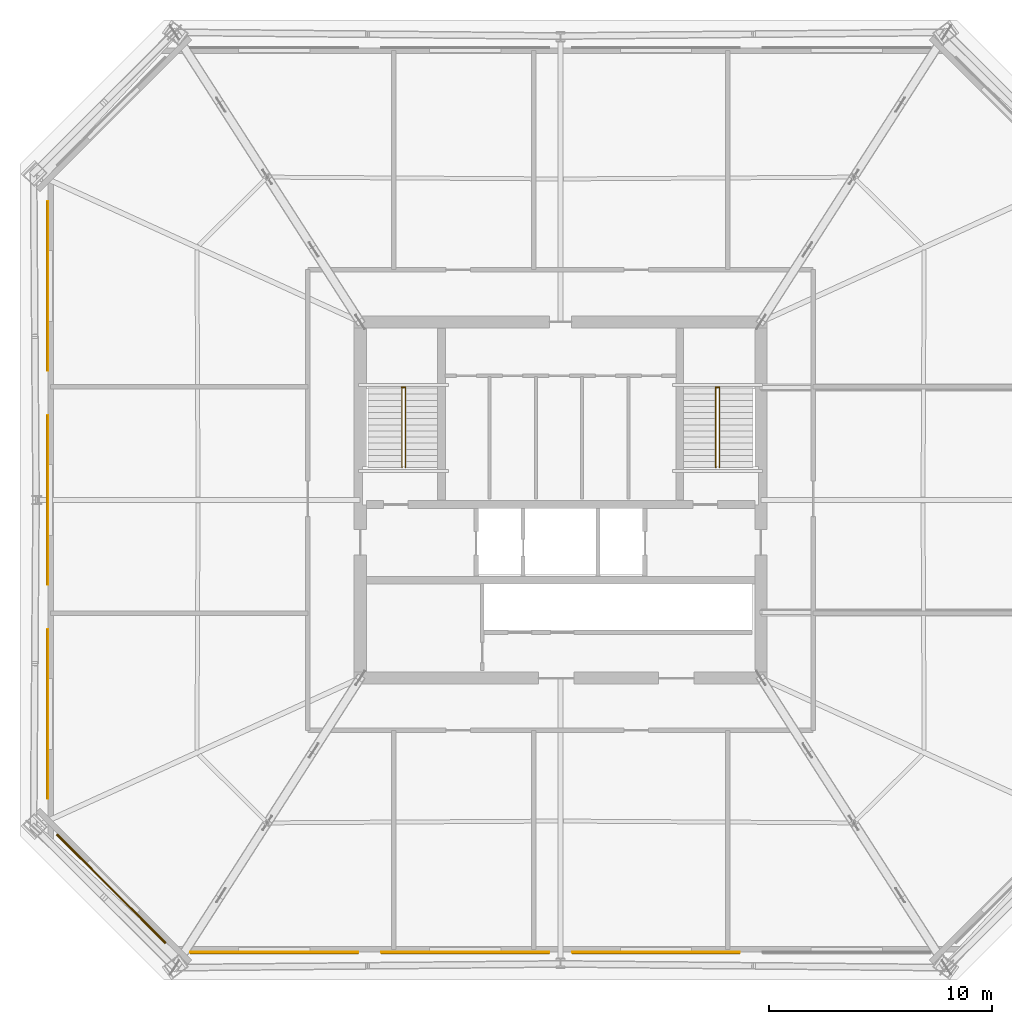
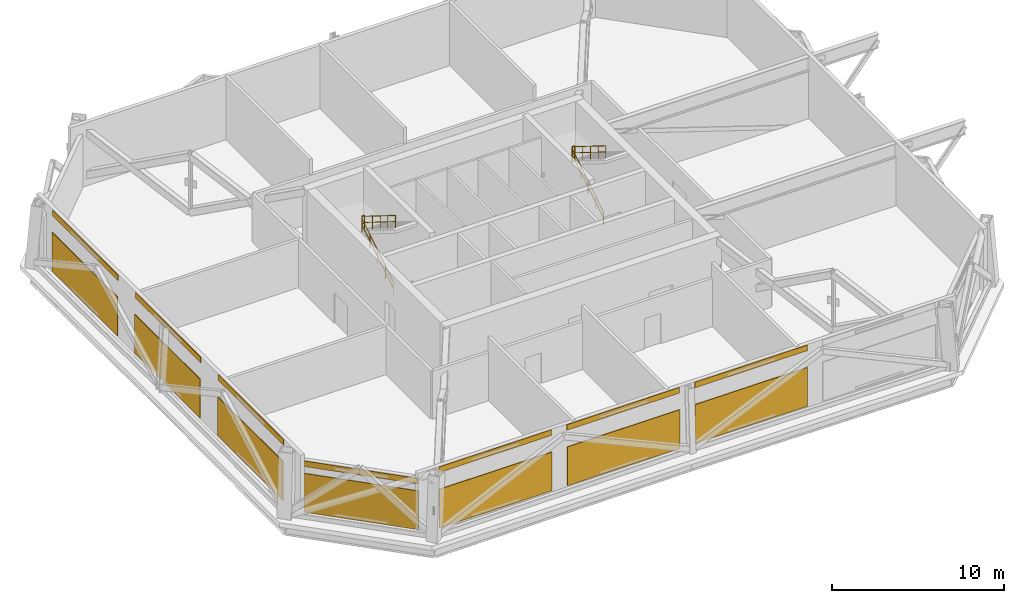
# One storey, part 14 of 15: 7 coverings, 7 shading devices, 6 railings.
"""IFC4 building model written with IfcOpenShell, lengths in metres."""

from ifc_helpers import new_model, si_unit, direction, frame, origin, origin_2d, place, context, subcontext, project, spatial, rectangle, circle, extrude, material, layer, layer_set, type_object, element, save


model = new_model("IFC4")

# Units and contexts
model_context = context("Model", 3, precision=1e-05, world=origin(), true_north=direction((0.0, 1.0)))
body_context = subcontext(model_context, "Body", "Model", "MODEL_VIEW")
ifc_project = project(units=[si_unit("LENGTHUNIT", "METRE"), si_unit("AREAUNIT", "SQUARE_METRE"), si_unit("VOLUMEUNIT", "CUBIC_METRE"), si_unit("PLANEANGLEUNIT", "RADIAN"), si_unit("MASSUNIT", "GRAM", prefix="KILO")], contexts=[model_context])

# Site, building, storey
site_placement = place(None, origin())
site = spatial("IfcSite", under=ifc_project, at=site_placement, CompositionType="ELEMENT")
building_placement = place(site_placement, origin())
building = spatial("IfcBuilding", under=site, at=building_placement, Name="Caelvoria Tower", CompositionType="ELEMENT")
storey_placement = place(building_placement, frame((0.0, 0.0, 167.199951171875)))
storey = spatial("IfcBuildingStorey", under=building, at=storey_placement, Name="L44", CompositionType="ELEMENT", Elevation=167.199951171875)

# Coverings
ifc_material_1 = material(Name="Perforated Architectural Bronze Cladding Screen", Category="bronze")
ifc_layer_1 = layer(ifc_material_1, 0.0400390625, Name="Perforated Architectural Bronze Cladding Screen")
ifc_layer_set_1 = layer_set([ifc_layer_1], Name="Perforated Bronze Louvre Cladding Band 40 - Perforated Architectural Bronze Cladding Screen")
covering_type = type_object("IfcCoveringType", Name="Perforated Bronze Louvre Cladding Band 40", PredefinedType="CLADDING", material=ifc_layer_set_1)
for number, where, z_axis, x_axis, name in (
    (1, (33.14501953125, 11.677978515625, 4.06005859375), (0.0, 0.0, 1.0), (1.0, 0.0, 0.0), "Perforated Bronze Screen Band L44-E0-00"),
    (2, (41.715087890625, 11.677978515625, 4.06005859375), (0.0, 0.0, 1.0), (1.0, 0.0, 0.0), "Perforated Bronze Screen Band L44-E0-01"),
    (3, (50.284912109375, 11.677978515625, 4.06005859375), (0.0, 0.0, 1.0), (1.0, 0.0, 0.0), "Perforated Bronze Screen Band L44-E0-02"),
):
    element("IfcCovering", number, at=place(storey_placement, frame(where, z_axis=z_axis, x_axis=x_axis)), inside=storey, type_object=covering_type, Name=name, PredefinedType="CLADDING", context=body_context, shape_type="SweptSolid", body=[
        extrude(rectangle(XDim=7.54150390625, YDim=0.0400390625, at=origin_2d()), origin(), (0.0, 0.0, 1.0), 0.39990234375),
    ])
for number, where, z_axis, x_axis, name in (
    (4, (22.9580078125, 41.61328125, 4.06005859375), (0.0, 0.0, 1.0), (0.0, -1.0, 0.0), "Perforated Bronze Screen Band L44-E6-00"),
    (5, (22.9580078125, 32.0, 4.06005859375), (0.0, 0.0, 1.0), (0.0, -1.0, 0.0), "Perforated Bronze Screen Band L44-E6-01"),
    (6, (22.9580078125, 22.38671875, 4.06005859375), (0.0, 0.0, 1.0), (0.0, -1.0, 0.0), "Perforated Bronze Screen Band L44-E6-02"),
):
    element("IfcCovering", number, at=place(storey_placement, frame(where, z_axis=z_axis, x_axis=x_axis)), inside=storey, type_object=covering_type, Name=name, PredefinedType="CLADDING", context=body_context, shape_type="SweptSolid", body=[
        extrude(rectangle(XDim=7.60009765625, YDim=0.0400390625, at=origin_2d()), origin(), (0.0, 0.0, 1.0), 0.39990234375),
    ])
covering_placement = place(storey_placement, frame((25.83544921875, 14.555419921875, 3.362060546875), z_axis=(0.0, 0.0, 1.0), x_axis=(0.707106781187, -0.707106781187, 0.0)))
element("IfcCovering", 7, at=covering_placement, inside=storey, type_object=covering_type, Name="Perforated Bronze Screen Band L44-E7-00", PredefinedType="CLADDING", context=body_context, shape_type="SweptSolid", body=[
    extrude(rectangle(XDim=6.90283203125, YDim=0.0400390625, at=origin_2d()), origin(), (0.0, 0.0, 1.0), 0.39990234375),
])

# Shading devices
ifc_material_2 = material(Name="Perforated Architectural Bronze Alloy Panel", Category="bronze")
ifc_layer_2 = layer(ifc_material_2, 0.044921875, Name="Perforated Architectural Bronze Alloy Panel")
ifc_layer_set_2 = layer_set([ifc_layer_2], Name="Perforated Bronze Solar Screen Panel SCREEN - Perforated Architectural Bronze Alloy Panel")
shading_device_type = type_object("IfcShadingDeviceType", Name="Perforated Bronze Solar Screen Panel SCREEN", PredefinedType="USERDEFINED", material=ifc_layer_set_2)
for number, where, z_axis, x_axis, name in (
    (8, (33.14501953125, 11.635009765625, 0.16015625), (0.0, 0.0, 1.0), (1.0, 0.0, 0.0), "Perforated Bronze Solar Screen L44-E0-00"),
    (9, (41.715087890625, 11.635009765625, 0.16015625), (0.0, 0.0, 1.0), (1.0, 0.0, 0.0), "Perforated Bronze Solar Screen L44-E0-01"),
    (10, (50.284912109375, 11.635009765625, 0.16015625), (0.0, 0.0, 1.0), (1.0, 0.0, 0.0), "Perforated Bronze Solar Screen L44-E0-02"),
):
    element("IfcShadingDevice", number, at=place(storey_placement, frame(where, z_axis=z_axis, x_axis=x_axis)), inside=storey, type_object=shading_device_type, Name=name, ObjectType="SCREEN", PredefinedType="USERDEFINED", context=body_context, shape_type="SweptSolid", body=[
        extrude(rectangle(XDim=7.54150390625, YDim=0.044921875, at=origin_2d()), origin(), (0.0, 0.0, 1.0), 2.75),
    ])
for number, where, z_axis, x_axis, name in (
    (11, (22.9150390625, 41.61328125, 0.16015625), (0.0, 0.0, 1.0), (0.0, -1.0, 0.0), "Perforated Bronze Solar Screen L44-E6-00"),
    (12, (22.9150390625, 32.0, 0.16015625), (0.0, 0.0, 1.0), (0.0, -1.0, 0.0), "Perforated Bronze Solar Screen L44-E6-01"),
    (13, (22.9150390625, 22.38671875, 0.16015625), (0.0, 0.0, 1.0), (0.0, -1.0, 0.0), "Perforated Bronze Solar Screen L44-E6-02"),
):
    element("IfcShadingDevice", number, at=place(storey_placement, frame(where, z_axis=z_axis, x_axis=x_axis)), inside=storey, type_object=shading_device_type, Name=name, ObjectType="SCREEN", PredefinedType="USERDEFINED", context=body_context, shape_type="SweptSolid", body=[
        extrude(rectangle(XDim=7.60009765625, YDim=0.044921875, at=origin_2d()), origin(), (0.0, 0.0, 1.0), 2.75),
    ])
shading_device_placement = place(storey_placement, frame((25.804931640625, 14.52490234375, 0.16015625), z_axis=(0.0, 0.0, 1.0), x_axis=(0.707106781187, -0.707106781187, 0.0)))
element("IfcShadingDevice", 14, at=shading_device_placement, inside=storey, type_object=shading_device_type, Name="Perforated Bronze Solar Screen L44-E7-00", ObjectType="SCREEN", PredefinedType="USERDEFINED", context=body_context, shape_type="SweptSolid", body=[
    extrude(rectangle(XDim=6.90283203125, YDim=0.044921875, at=origin_2d()), origin(), (0.0, 0.0, 1.0), 2.75),
])

# Railings
ifc_material_3 = material(Name="Brushed Stainless Steel Tube", Category="steel")
railing_type_1 = type_object("IfcRailingType", Name="Stair Tubular Stainless Handrail 920", PredefinedType="HANDRAIL", material=ifc_material_3)
railing_1_placement = place(storey_placement, frame((38.8701171875, 33.449951171875, 0.17138671875)))
element("IfcRailing", 15, at=railing_1_placement, inside=storey, type_object=railing_type_1, Name="ST-01 Flight 1 Handrail L44", PredefinedType="HANDRAIL", context=body_context, shape_type="SweptSolid", body=[
    extrude(circle(Radius=0.02392578125, at=origin_2d()), frame((0.0, 0.0, 0.89599609375), z_axis=(0.0, 0.848593568547, 0.529045324542), x_axis=(-1.0, 0.0, 0.0)), (0.0, 0.0, 1.0), 4.212890625),
    extrude(circle(Radius=0.02392578125, at=origin_2d()), frame((0.0, 0.0, 0.4599609375), z_axis=(0.0, 0.848593568547, 0.529045324542), x_axis=(-1.0, 0.0, 0.0)), (0.0, 0.0, 1.0), 4.212890625),
    extrude(circle(Radius=0.02099609375, at=origin_2d()), origin(), (0.0, 0.0, 1.0), 0.871826171875),
    extrude(circle(Radius=0.02099609375, at=origin_2d()), frame((0.0, 0.893798828125, 0.55712890625)), (0.0, 0.0, 1.0), 0.871826171875),
    extrude(circle(Radius=0.02099609375, at=origin_2d()), frame((0.0, 1.78759765625, 1.1142578125)), (0.0, 0.0, 1.0), 0.871826171875),
    extrude(circle(Radius=0.02099609375, at=origin_2d()), frame((0.0, 2.68115234375, 1.671630859375)), (0.0, 0.0, 1.0), 0.871826171875),
    extrude(circle(Radius=0.02099609375, at=origin_2d()), frame((0.0, 3.574951171875, 2.228759765625)), (0.0, 0.0, 1.0), 0.871826171875),
])
railing_2_placement = place(storey_placement, frame((39.030029296875, 37.02490234375, 2.571533203125)))
element("IfcRailing", 16, at=railing_2_placement, inside=storey, type_object=railing_type_1, Name="ST-01 Flight 2 Handrail L44", PredefinedType="HANDRAIL", context=body_context, shape_type="SweptSolid", body=[
    extrude(circle(Radius=0.02392578125, at=origin_2d()), frame((0.0, 0.0, 0.89599609375), z_axis=(0.0, -0.848619585623, 0.529003590628), x_axis=(1.0, 0.0, 0.0)), (0.0, 0.0, 1.0), 4.212646484375),
    extrude(circle(Radius=0.02392578125, at=origin_2d()), frame((0.0, 0.0, 0.4599609375), z_axis=(0.0, -0.848619585623, 0.529003590628), x_axis=(1.0, 0.0, 0.0)), (0.0, 0.0, 1.0), 4.212646484375),
    extrude(circle(Radius=0.02099609375, at=origin_2d()), origin(), (0.0, 0.0, 1.0), 0.871826171875),
    extrude(circle(Radius=0.02099609375, at=origin_2d()), frame((0.0, -0.893798828125, 0.55712890625)), (0.0, 0.0, 1.0), 0.871826171875),
    extrude(circle(Radius=0.02099609375, at=origin_2d()), frame((0.0, -1.78759765625, 1.1142578125)), (0.0, 0.0, 1.0), 0.871826171875),
    extrude(circle(Radius=0.02099609375, at=origin_2d()), frame((0.0, -2.68115234375, 1.67138671875)), (0.0, 0.0, 1.0), 0.871826171875),
    extrude(circle(Radius=0.02099609375, at=origin_2d()), frame((0.0, -3.574951171875, 2.228515625)), (0.0, 0.0, 1.0), 0.871826171875),
])
railing_3_placement = place(storey_placement, frame((52.969970703125, 33.449951171875, 0.17138671875)))
element("IfcRailing", 17, at=railing_3_placement, inside=storey, type_object=railing_type_1, Name="ST-02 Flight 1 Handrail L44", PredefinedType="HANDRAIL", context=body_context, shape_type="SweptSolid", body=[
    extrude(circle(Radius=0.02392578125, at=origin_2d()), frame((0.0, 0.0, 0.89599609375), z_axis=(0.0, 0.848593568547, 0.529045324542), x_axis=(-1.0, 0.0, 0.0)), (0.0, 0.0, 1.0), 4.212890625),
    extrude(circle(Radius=0.02392578125, at=origin_2d()), frame((0.0, 0.0, 0.4599609375), z_axis=(0.0, 0.848593568547, 0.529045324542), x_axis=(-1.0, 0.0, 0.0)), (0.0, 0.0, 1.0), 4.212890625),
    extrude(circle(Radius=0.02099609375, at=origin_2d()), origin(), (0.0, 0.0, 1.0), 0.871826171875),
    extrude(circle(Radius=0.02099609375, at=origin_2d()), frame((0.0, 0.893798828125, 0.55712890625)), (0.0, 0.0, 1.0), 0.871826171875),
    extrude(circle(Radius=0.02099609375, at=origin_2d()), frame((0.0, 1.78759765625, 1.1142578125)), (0.0, 0.0, 1.0), 0.871826171875),
    extrude(circle(Radius=0.02099609375, at=origin_2d()), frame((0.0, 2.68115234375, 1.671630859375)), (0.0, 0.0, 1.0), 0.871826171875),
    extrude(circle(Radius=0.02099609375, at=origin_2d()), frame((0.0, 3.574951171875, 2.228759765625)), (0.0, 0.0, 1.0), 0.871826171875),
])
railing_4_placement = place(storey_placement, frame((53.1298828125, 37.02490234375, 2.571533203125)))
element("IfcRailing", 18, at=railing_4_placement, inside=storey, type_object=railing_type_1, Name="ST-02 Flight 2 Handrail L44", PredefinedType="HANDRAIL", context=body_context, shape_type="SweptSolid", body=[
    extrude(circle(Radius=0.02392578125, at=origin_2d()), frame((0.0, 0.0, 0.89599609375), z_axis=(0.0, -0.848619585623, 0.529003590628), x_axis=(1.0, 0.0, 0.0)), (0.0, 0.0, 1.0), 4.212646484375),
    extrude(circle(Radius=0.02392578125, at=origin_2d()), frame((0.0, 0.0, 0.4599609375), z_axis=(0.0, -0.848619585623, 0.529003590628), x_axis=(1.0, 0.0, 0.0)), (0.0, 0.0, 1.0), 4.212646484375),
    extrude(circle(Radius=0.02099609375, at=origin_2d()), origin(), (0.0, 0.0, 1.0), 0.871826171875),
    extrude(circle(Radius=0.02099609375, at=origin_2d()), frame((0.0, -0.893798828125, 0.55712890625)), (0.0, 0.0, 1.0), 0.871826171875),
    extrude(circle(Radius=0.02099609375, at=origin_2d()), frame((0.0, -1.78759765625, 1.1142578125)), (0.0, 0.0, 1.0), 0.871826171875),
    extrude(circle(Radius=0.02099609375, at=origin_2d()), frame((0.0, -2.68115234375, 1.67138671875)), (0.0, 0.0, 1.0), 0.871826171875),
    extrude(circle(Radius=0.02099609375, at=origin_2d()), frame((0.0, -3.574951171875, 2.228515625)), (0.0, 0.0, 1.0), 0.871826171875),
])
ifc_material_4 = material(Name="Brushed Stainless Steel Guardrail", Category="steel")
railing_type_2 = type_object("IfcRailingType", Name="Stair Well and Ramp Guardrail 1120", PredefinedType="GUARDRAIL", material=ifc_material_4)
for number, where, name in (
    (19, (38.8701171875, 37.06494140625, 2.400146484375), "ST-01 Half-Landing Well Guard L44"),
    (20, (52.969970703125, 37.06494140625, 2.400146484375), "ST-02 Half-Landing Well Guard L44"),
):
    element("IfcRailing", number, at=place(storey_placement, frame(where)), inside=storey, type_object=railing_type_2, Name=name, PredefinedType="GUARDRAIL", context=body_context, shape_type="SweptSolid", body=[
        extrude(circle(Radius=0.02392578125, at=origin_2d()), frame((0.0, 0.0, 1.09619140625), z_axis=(1.0, 0.0, 0.0), x_axis=(0.0, 1.0, 0.0)), (0.0, 0.0, 1.0), 0.159912109375),
        extrude(circle(Radius=0.02392578125, at=origin_2d()), frame((0.0, 0.0, 0.56005859375), z_axis=(1.0, 0.0, 0.0), x_axis=(0.0, 1.0, 0.0)), (0.0, 0.0, 1.0), 0.159912109375),
        extrude(circle(Radius=0.02099609375, at=origin_2d()), origin(), (0.0, 0.0, 1.0), 1.072021484375),
        extrude(circle(Radius=0.02099609375, at=origin_2d()), frame((0.159912109375, 0.0, 0.0)), (0.0, 0.0, 1.0), 1.072021484375),
    ])

save(model, "model.ifc")
